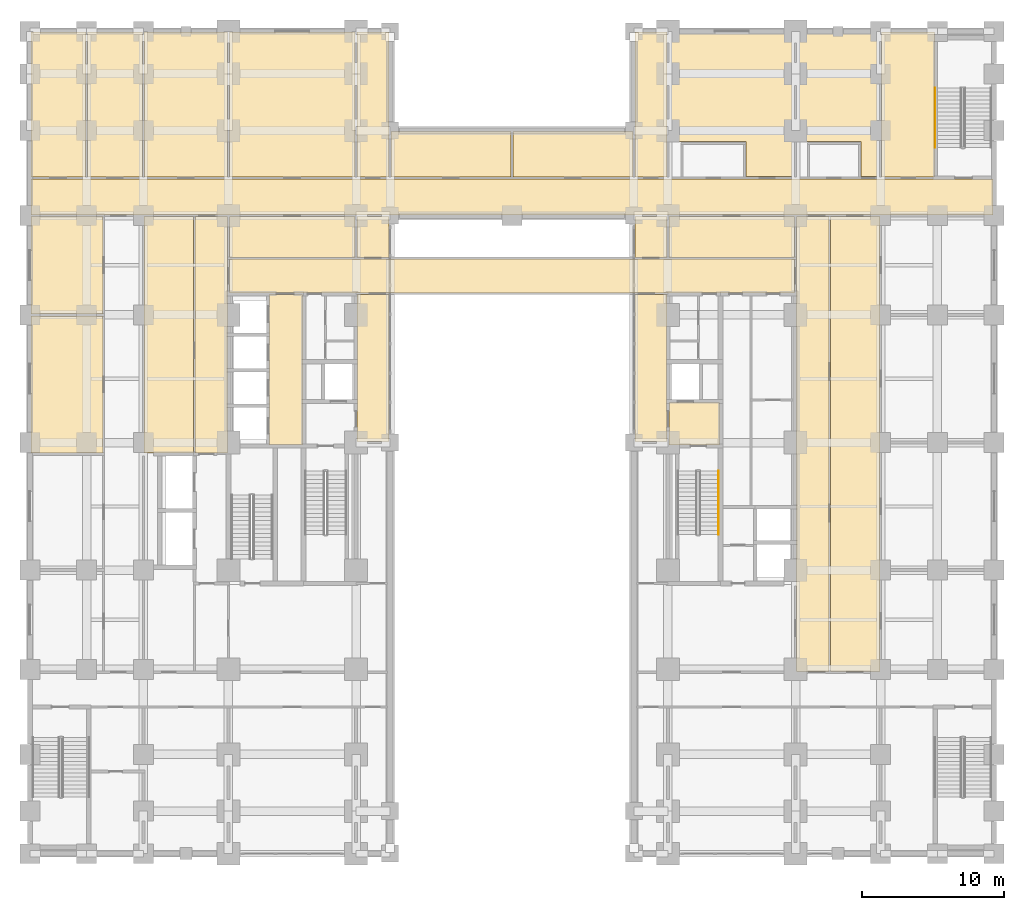
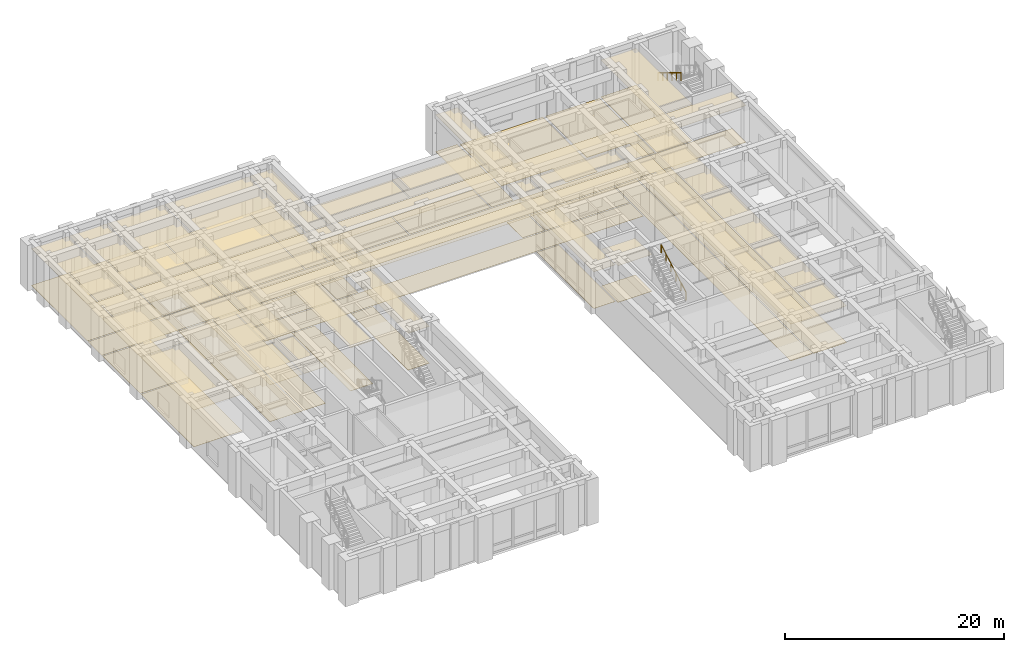
# One storey, part 19 of 21: 52 coverings, 2 railings.
"""IFC4 building model written with IfcOpenShell, lengths in metres."""

from ifc_helpers import new_model, si_unit, direction, frame, origin, origin_2d, place, context, subcontext, project, spatial, polyline, rectangle, outline, extrude, material, layer, layer_set, type_object, element, save


model = new_model("IFC4")

# Units and contexts
model_context = context("Model", 3, precision=1e-05, world=origin(), true_north=direction((0.0, 1.0)))
body_context = subcontext(model_context, "Body", "Model", "MODEL_VIEW")
ifc_project = project(units=[si_unit("LENGTHUNIT", "METRE"), si_unit("AREAUNIT", "SQUARE_METRE"), si_unit("VOLUMEUNIT", "CUBIC_METRE"), si_unit("PLANEANGLEUNIT", "RADIAN"), si_unit("MASSUNIT", "GRAM", prefix="KILO")], contexts=[model_context])

# Site, building, storey
site_placement = place(None, origin())
site = spatial("IfcSite", under=ifc_project, at=site_placement, CompositionType="ELEMENT")
building_placement = place(site_placement, origin())
building = spatial("IfcBuilding", under=site, at=building_placement, Name="Zulmaris Gate Convention Tower", CompositionType="ELEMENT")
storey_placement = place(building_placement, frame((0.0, 0.0, 5.43994140625)))
storey = spatial("IfcBuildingStorey", under=building, at=storey_placement, Name="L01", CompositionType="ELEMENT", Elevation=5.43994140625)

# Coverings
ifc_material_1 = material(Name="Mineral Fibre Acoustic Ceiling Tile")
ifc_layer_1 = layer(ifc_material_1, 0.02001953125, Name="Mineral Fibre Acoustic Ceiling Tile")
ifc_layer_set_1 = layer_set([ifc_layer_1], Name="Mineral Fibre Acoustic Ceiling Tile")
covering_type_1 = type_object("IfcCoveringType", Name="CLG-ACOUSTIC-600", PredefinedType="CEILING", material=ifc_layer_set_1)
covering_1_placement = place(storey_placement, frame((0.0, 0.0, 4.099853515625)))
element("IfcCovering", 1, at=covering_1_placement, inside=storey, type_object=covering_type_1, Name="CLG-L01-R08", PredefinedType="CEILING", context=body_context, shape_type="SweptSolid", body=[
    extrude(outline(polyline([(11.06005859375, -0.18994140625), (14.639892578125, -0.18994140625), (14.639892578125, 2.840087890625), (11.06005859375, 2.840087890625), (11.06005859375, -0.18994140625)])), origin(), (0.0, 0.0, 1.0), 0.02001953125),
])
covering_2_placement = place(storey_placement, frame((0.0, 0.0, 4.81005859375)))
element("IfcCovering", 2, at=covering_2_placement, inside=storey, type_object=covering_type_1, Name="CLG-L01-R19", PredefinedType="CEILING", context=body_context, shape_type="SweptSolid", body=[
    extrude(outline(polyline([(-17.139892578125, -0.18994140625), (-14.760009765625, -0.18994140625), (-14.760009765625, 10.43994140625), (-17.139892578125, 10.43994140625), (-17.139892578125, -0.18994140625)])), origin(), (0.0, 0.0, 1.0), 0.02001953125),
])
covering_3_placement = place(storey_placement, frame((0.0, 0.0, 4.099853515625)))
element("IfcCovering", 3, at=covering_3_placement, inside=storey, type_object=covering_type_1, Name="CLG-L01-R38", PredefinedType="CEILING", context=body_context, shape_type="SweptSolid", body=[
    extrude(outline(polyline([(-10.93994140625, 0.06005859375), (-8.659912109375, 0.06005859375), (-8.659912109375, 10.43994140625), (-10.93994140625, 10.43994140625), (-10.93994140625, 0.06005859375)])), origin(), (0.0, 0.0, 1.0), 0.02001953125),
])
covering_4_placement = place(storey_placement, frame((0.0, 0.0, 4.099853515625)))
element("IfcCovering", 4, at=covering_4_placement, inside=storey, type_object=covering_type_1, Name="CLG-L01-R40", PredefinedType="CEILING", context=body_context, shape_type="SweptSolid", body=[
    extrude(outline(polyline([(8.659912109375, 0.06005859375), (10.93994140625, 0.06005859375), (10.93994140625, 10.43994140625), (8.659912109375, 10.43994140625), (8.659912109375, 0.06005859375)])), origin(), (0.0, 0.0, 1.0), 0.02001953125),
])
covering_5_placement = place(storey_placement, frame((0.0, 0.0, 4.099853515625)))
element("IfcCovering", 5, at=covering_5_placement, inside=storey, type_object=covering_type_1, Name="CLG-L01-R42", PredefinedType="CEILING", context=body_context, shape_type="SweptSolid", body=[
    extrude(outline(polyline([(-10.93994140625, 13.06005859375), (-8.659912109375, 13.06005859375), (-8.659912109375, 15.93994140625), (-10.93994140625, 15.93994140625), (-10.93994140625, 13.06005859375)])), origin(), (0.0, 0.0, 1.0), 0.02001953125),
])
covering_6_placement = place(storey_placement, frame((0.0, 0.0, 4.099853515625)))
element("IfcCovering", 6, at=covering_6_placement, inside=storey, type_object=covering_type_1, Name="CLG-L01-R43", PredefinedType="CEILING", context=body_context, shape_type="SweptSolid", body=[
    extrude(outline(polyline([(8.659912109375, 13.06005859375), (10.93994140625, 13.06005859375), (10.93994140625, 15.93994140625), (8.659912109375, 15.93994140625), (8.659912109375, 13.06005859375)])), origin(), (0.0, 0.0, 1.0), 0.02001953125),
])
covering_7_placement = place(storey_placement, frame((0.0, 0.0, 4.099853515625)))
element("IfcCovering", 7, at=covering_7_placement, inside=storey, type_object=covering_type_1, Name="CLG-L01-R44", PredefinedType="CEILING", context=body_context, shape_type="SweptSolid", body=[
    extrude(outline(polyline([(-19.93994140625, 13.06005859375), (-11.06005859375, 13.06005859375), (-11.06005859375, 15.93994140625), (-19.93994140625, 15.93994140625), (-19.93994140625, 13.06005859375)])), origin(), (0.0, 0.0, 1.0), 0.02001953125),
])
covering_8_placement = place(storey_placement, frame((0.0, 0.0, 4.099853515625)))
element("IfcCovering", 8, at=covering_8_placement, inside=storey, type_object=covering_type_1, Name="CLG-L01-R45", PredefinedType="CEILING", context=body_context, shape_type="SweptSolid", body=[
    extrude(outline(polyline([(11.06005859375, 13.06005859375), (19.93994140625, 13.06005859375), (19.93994140625, 15.93994140625), (11.06005859375, 15.93994140625), (11.06005859375, 13.06005859375)])), origin(), (0.0, 0.0, 1.0), 0.02001953125),
])
covering_9_placement = place(storey_placement, frame((0.0, 0.0, 4.099853515625)))
element("IfcCovering", 9, at=covering_9_placement, inside=storey, type_object=covering_type_1, Name="CLG-L01-R46", PredefinedType="CEILING", context=body_context, shape_type="SweptSolid", body=[
    extrude(outline(polyline([(-33.93994140625, 16.06005859375), (33.93994140625, 16.06005859375), (33.93994140625, 18.590087890625), (-33.93994140625, 18.590087890625), (-33.93994140625, 16.06005859375)])), origin(), (0.0, 0.0, 1.0), 0.02001953125),
])
covering_10_placement = place(storey_placement, frame((0.0, 0.0, 4.099853515625)))
element("IfcCovering", 10, at=covering_10_placement, inside=storey, type_object=covering_type_1, Name="CLG-L01-R47", PredefinedType="CEILING", context=body_context, shape_type="SweptSolid", body=[
    extrude(outline(polyline([(-19.93994140625, 10.56005859375), (19.93994140625, 10.56005859375), (19.93994140625, 12.93994140625), (-19.93994140625, 12.93994140625), (-19.93994140625, 10.56005859375)])), origin(), (0.0, 0.0, 1.0), 0.02001953125),
])
covering_11_placement = place(storey_placement, frame((0.0, 0.0, 4.099853515625)))
element("IfcCovering", 11, at=covering_11_placement, inside=storey, type_object=covering_type_1, Name="CLG-L01-R48", PredefinedType="CEILING", context=body_context, shape_type="SweptSolid", body=[
    extrude(outline(polyline([(-22.340087890625, -0.739990234375), (-20.06005859375, -0.739990234375), (-20.06005859375, 15.93994140625), (-22.340087890625, 15.93994140625), (-22.340087890625, -0.739990234375)])), origin(), (0.0, 0.0, 1.0), 0.02001953125),
])
covering_12_placement = place(storey_placement, frame((0.0, 0.0, 4.099853515625)))
element("IfcCovering", 12, at=covering_12_placement, inside=storey, type_object=covering_type_1, Name="CLG-L01-R49", PredefinedType="CEILING", context=body_context, shape_type="SweptSolid", body=[
    extrude(outline(polyline([(-25.93994140625, -0.739990234375), (-22.4599609375, -0.739990234375), (-22.4599609375, 15.93994140625), (-25.93994140625, 15.93994140625), (-25.93994140625, -0.739990234375)])), origin(), (0.0, 0.0, 1.0), 0.02001953125),
])
covering_13_placement = place(storey_placement, frame((0.0, 0.0, 4.099853515625)))
element("IfcCovering", 13, at=covering_13_placement, inside=storey, type_object=covering_type_1, Name="CLG-L01-R52", PredefinedType="CEILING", context=body_context, shape_type="SweptSolid", body=[
    extrude(outline(polyline([(20.06005859375, -16.139892578125), (22.340087890625, -16.139892578125), (22.340087890625, 15.93994140625), (20.06005859375, 15.93994140625), (20.06005859375, -16.139892578125)])), origin(), (0.0, 0.0, 1.0), 0.02001953125),
])
covering_14_placement = place(storey_placement, frame((0.0, 0.0, 4.099853515625)))
element("IfcCovering", 14, at=covering_14_placement, inside=storey, type_object=covering_type_1, Name="CLG-L01-R57", PredefinedType="CEILING", context=body_context, shape_type="SweptSolid", body=[
    extrude(outline(polyline([(-33.93994140625, 18.7099609375), (-30.06005859375, 18.7099609375), (-30.06005859375, 28.93994140625), (-33.93994140625, 28.93994140625), (-33.93994140625, 18.7099609375)])), origin(), (0.0, 0.0, 1.0), 0.02001953125),
])
covering_15_placement = place(storey_placement, frame((0.0, 0.0, 4.099853515625)))
element("IfcCovering", 15, at=covering_15_placement, inside=storey, type_object=covering_type_1, Name="CLG-L01-R58", PredefinedType="CEILING", context=body_context, shape_type="SweptSolid", body=[
    extrude(outline(polyline([(-29.93994140625, 18.7099609375), (-26.06005859375, 18.7099609375), (-26.06005859375, 28.93994140625), (-29.93994140625, 28.93994140625), (-29.93994140625, 18.7099609375)])), origin(), (0.0, 0.0, 1.0), 0.02001953125),
])
covering_16_placement = place(storey_placement, frame((0.0, 0.0, 4.099853515625)))
element("IfcCovering", 16, at=covering_16_placement, inside=storey, type_object=covering_type_1, Name="CLG-L01-R59", PredefinedType="CEILING", context=body_context, shape_type="SweptSolid", body=[
    extrude(outline(polyline([(-25.93994140625, 18.7099609375), (-20.06005859375, 18.7099609375), (-20.06005859375, 28.93994140625), (-25.93994140625, 28.93994140625), (-25.93994140625, 18.7099609375)])), origin(), (0.0, 0.0, 1.0), 0.02001953125),
])
covering_17_placement = place(storey_placement, frame((0.0, 0.0, 4.099853515625)))
element("IfcCovering", 17, at=covering_17_placement, inside=storey, type_object=covering_type_1, Name="CLG-L01-R60", PredefinedType="CEILING", context=body_context, shape_type="SweptSolid", body=[
    extrude(outline(polyline([(-19.93994140625, 18.7099609375), (-11.06005859375, 18.7099609375), (-11.06005859375, 28.93994140625), (-19.93994140625, 28.93994140625), (-19.93994140625, 18.7099609375)])), origin(), (0.0, 0.0, 1.0), 0.02001953125),
])
covering_18_placement = place(storey_placement, frame((0.0, 0.0, 4.099853515625)))
element("IfcCovering", 18, at=covering_18_placement, inside=storey, type_object=covering_type_1, Name="CLG-L01-R61", PredefinedType="CEILING", context=body_context, shape_type="SweptSolid", body=[
    extrude(outline(polyline([(-10.93994140625, 18.7099609375), (-8.659912109375, 18.7099609375), (-8.659912109375, 28.93994140625), (-10.93994140625, 28.93994140625), (-10.93994140625, 18.7099609375)])), origin(), (0.0, 0.0, 1.0), 0.02001953125),
])
covering_19_placement = place(storey_placement, frame((0.0, 0.0, 4.099853515625)))
element("IfcCovering", 19, at=covering_19_placement, inside=storey, type_object=covering_type_1, Name="CLG-L01-R62", PredefinedType="CEILING", context=body_context, shape_type="SweptSolid", body=[
    extrude(outline(polyline([(-8.5400390625, 18.7099609375), (-0.06005859375, 18.7099609375), (-0.06005859375, 21.93994140625), (-8.5400390625, 21.93994140625), (-8.5400390625, 18.7099609375)])), origin(), (0.0, 0.0, 1.0), 0.02001953125),
])
covering_20_placement = place(storey_placement, frame((0.0, 0.0, 4.099853515625)))
element("IfcCovering", 20, at=covering_20_placement, inside=storey, type_object=covering_type_1, Name="CLG-L01-R63", PredefinedType="CEILING", context=body_context, shape_type="SweptSolid", body=[
    extrude(outline(polyline([(0.06005859375, 18.7099609375), (8.5400390625, 18.7099609375), (8.5400390625, 21.93994140625), (0.06005859375, 21.93994140625), (0.06005859375, 18.7099609375)])), origin(), (0.0, 0.0, 1.0), 0.02001953125),
])
covering_21_placement = place(storey_placement, frame((0.0, 0.0, 4.099853515625)))
element("IfcCovering", 21, at=covering_21_placement, inside=storey, type_object=covering_type_1, Name="CLG-L01-R64", PredefinedType="CEILING", context=body_context, shape_type="SweptSolid", body=[
    extrude(outline(polyline([(8.659912109375, 18.7099609375), (10.93994140625, 18.7099609375), (10.93994140625, 28.93994140625), (8.659912109375, 28.93994140625), (8.659912109375, 18.7099609375)])), origin(), (0.0, 0.0, 1.0), 0.02001953125),
])
covering_22_placement = place(storey_placement, frame((0.0, 0.0, 4.099853515625)))
element("IfcCovering", 22, at=covering_22_placement, inside=storey, type_object=covering_type_1, Name="CLG-L01-R65", PredefinedType="CEILING", context=body_context, shape_type="SweptSolid", body=[
    extrude(outline(polyline([(26.06005859375, 18.7099609375), (29.7900390625, 18.7099609375), (29.7900390625, 28.93994140625), (26.06005859375, 28.93994140625), (26.06005859375, 18.7099609375)])), origin(), (0.0, 0.0, 1.0), 0.02001953125),
])
covering_23_placement = place(storey_placement, frame((0.0, 0.0, 4.099853515625)))
element("IfcCovering", 23, at=covering_23_placement, inside=storey, type_object=covering_type_1, Name="CLG-L01-R73", PredefinedType="CEILING", context=body_context, shape_type="SweptSolid", body=[
    extrude(outline(polyline([(-33.93994140625, -0.739990234375), (-28.860107421875, -0.739990234375), (-28.860107421875, 8.93994140625), (-33.93994140625, 8.93994140625), (-33.93994140625, -0.739990234375)])), origin(), (0.0, 0.0, 1.0), 0.02001953125),
])
covering_24_placement = place(storey_placement, frame((0.0, 0.0, 4.099853515625)))
element("IfcCovering", 24, at=covering_24_placement, inside=storey, type_object=covering_type_1, Name="CLG-L01-R74", PredefinedType="CEILING", context=body_context, shape_type="SweptSolid", body=[
    extrude(outline(polyline([(-33.93994140625, 9.06005859375), (-28.860107421875, 9.06005859375), (-28.860107421875, 15.93994140625), (-33.93994140625, 15.93994140625), (-33.93994140625, 9.06005859375)])), origin(), (0.0, 0.0, 1.0), 0.02001953125),
])
covering_25_placement = place(storey_placement, frame((0.0, 0.0, 4.099853515625)))
element("IfcCovering", 25, at=covering_25_placement, inside=storey, type_object=covering_type_1, Name="CLG-L01-R75", PredefinedType="CEILING", context=body_context, shape_type="SweptSolid", body=[
    extrude(outline(polyline([(22.4599609375, -16.139892578125), (25.93994140625, -16.139892578125), (25.93994140625, 15.93994140625), (22.4599609375, 15.93994140625), (22.4599609375, -16.139892578125)])), origin(), (0.0, 0.0, 1.0), 0.02001953125),
])
ifc_material_2 = material(Name="Woven Acoustic Wool Carpet Tile")
ifc_layer_2 = layer(ifc_material_2, 0.02001953125, Name="Woven Acoustic Wool Carpet Tile")
ifc_layer_set_2 = layer_set([ifc_layer_2], Name="Woven Acoustic Wool Carpet Tile")
covering_type_2 = type_object("IfcCoveringType", Name="FLR-CARPET-12", PredefinedType="FLOORING", material=ifc_layer_set_2)
covering_26_placement = place(storey_placement, origin())
element("IfcCovering", 26, at=covering_26_placement, inside=storey, type_object=covering_type_2, Name="FLR-L01-R08", PredefinedType="FLOORING", context=body_context, shape_type="SweptSolid", body=[
    extrude(outline(polyline([(11.06005859375, -0.18994140625), (14.639892578125, -0.18994140625), (14.639892578125, 2.840087890625), (11.06005859375, 2.840087890625), (11.06005859375, -0.18994140625)])), origin(), (0.0, 0.0, 1.0), 0.02001953125),
])
covering_27_placement = place(storey_placement, origin())
element("IfcCovering", 27, at=covering_27_placement, inside=storey, type_object=covering_type_2, Name="FLR-L01-R19", PredefinedType="FLOORING", context=body_context, shape_type="SweptSolid", body=[
    extrude(outline(polyline([(-17.139892578125, -0.18994140625), (-14.760009765625, -0.18994140625), (-14.760009765625, 10.43994140625), (-17.139892578125, 10.43994140625), (-17.139892578125, -0.18994140625)])), origin(), (0.0, 0.0, 1.0), 0.02001953125),
])
covering_28_placement = place(storey_placement, origin())
element("IfcCovering", 28, at=covering_28_placement, inside=storey, type_object=covering_type_2, Name="FLR-L01-R38", PredefinedType="FLOORING", context=body_context, shape_type="SweptSolid", body=[
    extrude(outline(polyline([(-10.93994140625, 0.06005859375), (-8.659912109375, 0.06005859375), (-8.659912109375, 10.43994140625), (-10.93994140625, 10.43994140625), (-10.93994140625, 0.06005859375)])), origin(), (0.0, 0.0, 1.0), 0.02001953125),
])
covering_29_placement = place(storey_placement, origin())
element("IfcCovering", 29, at=covering_29_placement, inside=storey, type_object=covering_type_2, Name="FLR-L01-R40", PredefinedType="FLOORING", context=body_context, shape_type="SweptSolid", body=[
    extrude(outline(polyline([(8.659912109375, 0.06005859375), (10.93994140625, 0.06005859375), (10.93994140625, 10.43994140625), (8.659912109375, 10.43994140625), (8.659912109375, 0.06005859375)])), origin(), (0.0, 0.0, 1.0), 0.02001953125),
])
covering_30_placement = place(storey_placement, origin())
element("IfcCovering", 30, at=covering_30_placement, inside=storey, type_object=covering_type_2, Name="FLR-L01-R42", PredefinedType="FLOORING", context=body_context, shape_type="SweptSolid", body=[
    extrude(outline(polyline([(-10.93994140625, 13.06005859375), (-8.659912109375, 13.06005859375), (-8.659912109375, 15.93994140625), (-10.93994140625, 15.93994140625), (-10.93994140625, 13.06005859375)])), origin(), (0.0, 0.0, 1.0), 0.02001953125),
])
covering_31_placement = place(storey_placement, origin())
element("IfcCovering", 31, at=covering_31_placement, inside=storey, type_object=covering_type_2, Name="FLR-L01-R43", PredefinedType="FLOORING", context=body_context, shape_type="SweptSolid", body=[
    extrude(outline(polyline([(8.659912109375, 13.06005859375), (10.93994140625, 13.06005859375), (10.93994140625, 15.93994140625), (8.659912109375, 15.93994140625), (8.659912109375, 13.06005859375)])), origin(), (0.0, 0.0, 1.0), 0.02001953125),
])
covering_32_placement = place(storey_placement, origin())
element("IfcCovering", 32, at=covering_32_placement, inside=storey, type_object=covering_type_2, Name="FLR-L01-R46", PredefinedType="FLOORING", context=body_context, shape_type="SweptSolid", body=[
    extrude(outline(polyline([(-33.93994140625, 16.06005859375), (33.93994140625, 16.06005859375), (33.93994140625, 18.590087890625), (-33.93994140625, 18.590087890625), (-33.93994140625, 16.06005859375)])), origin(), (0.0, 0.0, 1.0), 0.02001953125),
])
covering_33_placement = place(storey_placement, origin())
element("IfcCovering", 33, at=covering_33_placement, inside=storey, type_object=covering_type_2, Name="FLR-L01-R47", PredefinedType="FLOORING", context=body_context, shape_type="SweptSolid", body=[
    extrude(outline(polyline([(-19.93994140625, 10.56005859375), (19.93994140625, 10.56005859375), (19.93994140625, 12.93994140625), (-19.93994140625, 12.93994140625), (-19.93994140625, 10.56005859375)])), origin(), (0.0, 0.0, 1.0), 0.02001953125),
])
covering_34_placement = place(storey_placement, origin())
element("IfcCovering", 34, at=covering_34_placement, inside=storey, type_object=covering_type_2, Name="FLR-L01-R48", PredefinedType="FLOORING", context=body_context, shape_type="SweptSolid", body=[
    extrude(outline(polyline([(-22.340087890625, -0.739990234375), (-20.06005859375, -0.739990234375), (-20.06005859375, 15.93994140625), (-22.340087890625, 15.93994140625), (-22.340087890625, -0.739990234375)])), origin(), (0.0, 0.0, 1.0), 0.02001953125),
])
covering_35_placement = place(storey_placement, origin())
element("IfcCovering", 35, at=covering_35_placement, inside=storey, type_object=covering_type_2, Name="FLR-L01-R52", PredefinedType="FLOORING", context=body_context, shape_type="SweptSolid", body=[
    extrude(outline(polyline([(20.06005859375, -16.139892578125), (22.340087890625, -16.139892578125), (22.340087890625, 15.93994140625), (20.06005859375, 15.93994140625), (20.06005859375, -16.139892578125)])), origin(), (0.0, 0.0, 1.0), 0.02001953125),
])
covering_36_placement = place(storey_placement, origin())
element("IfcCovering", 36, at=covering_36_placement, inside=storey, type_object=covering_type_2, Name="FLR-L01-R60", PredefinedType="FLOORING", context=body_context, shape_type="SweptSolid", body=[
    extrude(outline(polyline([(-19.93994140625, 18.7099609375), (-11.06005859375, 18.7099609375), (-11.06005859375, 28.93994140625), (-19.93994140625, 28.93994140625), (-19.93994140625, 18.7099609375)])), origin(), (0.0, 0.0, 1.0), 0.02001953125),
])
covering_37_placement = place(storey_placement, origin())
element("IfcCovering", 37, at=covering_37_placement, inside=storey, type_object=covering_type_2, Name="FLR-L01-R61", PredefinedType="FLOORING", context=body_context, shape_type="SweptSolid", body=[
    extrude(outline(polyline([(-10.93994140625, 18.7099609375), (-8.659912109375, 18.7099609375), (-8.659912109375, 28.93994140625), (-10.93994140625, 28.93994140625), (-10.93994140625, 18.7099609375)])), origin(), (0.0, 0.0, 1.0), 0.02001953125),
])
covering_38_placement = place(storey_placement, origin())
element("IfcCovering", 38, at=covering_38_placement, inside=storey, type_object=covering_type_2, Name="FLR-L01-R64", PredefinedType="FLOORING", context=body_context, shape_type="SweptSolid", body=[
    extrude(outline(polyline([(8.659912109375, 18.7099609375), (10.93994140625, 18.7099609375), (10.93994140625, 28.93994140625), (8.659912109375, 28.93994140625), (8.659912109375, 18.7099609375)])), origin(), (0.0, 0.0, 1.0), 0.02001953125),
])
covering_39_placement = place(storey_placement, origin())
element("IfcCovering", 39, at=covering_39_placement, inside=storey, type_object=covering_type_2, Name="FLR-L01-R65", PredefinedType="FLOORING", context=body_context, shape_type="SweptSolid", body=[
    extrude(outline(polyline([(26.06005859375, 18.7099609375), (29.7900390625, 18.7099609375), (29.7900390625, 28.93994140625), (26.06005859375, 28.93994140625), (26.06005859375, 18.7099609375)])), origin(), (0.0, 0.0, 1.0), 0.02001953125),
])
covering_40_placement = place(storey_placement, origin())
element("IfcCovering", 40, at=covering_40_placement, inside=storey, type_object=covering_type_2, Name="FLR-L01-R69", PredefinedType="FLOORING", context=body_context, shape_type="SweptSolid", body=[
    extrude(outline(polyline([(24.6201171875, 18.77001953125), (25.85009765625, 18.77001953125), (25.85009765625, 28.800048828125), (20.14990234375, 28.800048828125), (20.14990234375, 21.219970703125), (24.6201171875, 21.219970703125), (24.6201171875, 18.77001953125)])), origin(), (0.0, 0.0, 1.0), 0.02001953125),
])
covering_41_placement = place(storey_placement, origin())
element("IfcCovering", 41, at=covering_41_placement, inside=storey, type_object=covering_type_2, Name="FLR-L01-R75", PredefinedType="FLOORING", context=body_context, shape_type="SweptSolid", body=[
    extrude(outline(polyline([(22.4599609375, -16.139892578125), (25.93994140625, -16.139892578125), (25.93994140625, 15.93994140625), (22.4599609375, 15.93994140625), (22.4599609375, -16.139892578125)])), origin(), (0.0, 0.0, 1.0), 0.02001953125),
])
ifc_material_3 = material(Name="Polished Granite Terrazzo Tile", Category="masonry")
ifc_layer_3 = layer(ifc_material_3, 0.02001953125, Name="Polished Granite Terrazzo Tile")
ifc_layer_set_3 = layer_set([ifc_layer_3], Name="Polished Granite Terrazzo Tile")
covering_type_3 = type_object("IfcCoveringType", Name="FLR-TERRAZZO-30", PredefinedType="FLOORING", material=ifc_layer_set_3)
covering_42_placement = place(storey_placement, origin())
element("IfcCovering", 42, at=covering_42_placement, inside=storey, type_object=covering_type_3, Name="FLR-L01-R62", PredefinedType="FLOORING", context=body_context, shape_type="SweptSolid", body=[
    extrude(outline(polyline([(-8.5400390625, 18.7099609375), (-0.06005859375, 18.7099609375), (-0.06005859375, 21.93994140625), (-8.5400390625, 21.93994140625), (-8.5400390625, 18.7099609375)])), origin(), (0.0, 0.0, 1.0), 0.02001953125),
])
covering_43_placement = place(storey_placement, origin())
element("IfcCovering", 43, at=covering_43_placement, inside=storey, type_object=covering_type_3, Name="FLR-L01-R63", PredefinedType="FLOORING", context=body_context, shape_type="SweptSolid", body=[
    extrude(outline(polyline([(0.06005859375, 18.7099609375), (8.5400390625, 18.7099609375), (8.5400390625, 21.93994140625), (0.06005859375, 21.93994140625), (0.06005859375, 18.7099609375)])), origin(), (0.0, 0.0, 1.0), 0.02001953125),
])
ifc_material_4 = material(Name="Engineered Teak Parquet Flooring")
ifc_layer_4 = layer(ifc_material_4, 0.02001953125, Name="Engineered Teak Parquet Flooring")
ifc_layer_set_4 = layer_set([ifc_layer_4], Name="Engineered Teak Parquet Flooring")
covering_type_4 = type_object("IfcCoveringType", Name="FLR-TIMBER-18", PredefinedType="FLOORING", material=ifc_layer_set_4)
covering_44_placement = place(storey_placement, origin())
element("IfcCovering", 44, at=covering_44_placement, inside=storey, type_object=covering_type_4, Name="FLR-L01-R44", PredefinedType="FLOORING", context=body_context, shape_type="SweptSolid", body=[
    extrude(outline(polyline([(-19.93994140625, 13.06005859375), (-11.06005859375, 13.06005859375), (-11.06005859375, 15.93994140625), (-19.93994140625, 15.93994140625), (-19.93994140625, 13.06005859375)])), origin(), (0.0, 0.0, 1.0), 0.02001953125),
])
covering_45_placement = place(storey_placement, origin())
element("IfcCovering", 45, at=covering_45_placement, inside=storey, type_object=covering_type_4, Name="FLR-L01-R45", PredefinedType="FLOORING", context=body_context, shape_type="SweptSolid", body=[
    extrude(outline(polyline([(11.06005859375, 13.06005859375), (19.93994140625, 13.06005859375), (19.93994140625, 15.93994140625), (11.06005859375, 15.93994140625), (11.06005859375, 13.06005859375)])), origin(), (0.0, 0.0, 1.0), 0.02001953125),
])
covering_46_placement = place(storey_placement, origin())
element("IfcCovering", 46, at=covering_46_placement, inside=storey, type_object=covering_type_4, Name="FLR-L01-R49", PredefinedType="FLOORING", context=body_context, shape_type="SweptSolid", body=[
    extrude(outline(polyline([(-25.93994140625, -0.739990234375), (-22.4599609375, -0.739990234375), (-22.4599609375, 15.93994140625), (-25.93994140625, 15.93994140625), (-25.93994140625, -0.739990234375)])), origin(), (0.0, 0.0, 1.0), 0.02001953125),
])
covering_47_placement = place(storey_placement, origin())
element("IfcCovering", 47, at=covering_47_placement, inside=storey, type_object=covering_type_4, Name="FLR-L01-R57", PredefinedType="FLOORING", context=body_context, shape_type="SweptSolid", body=[
    extrude(outline(polyline([(-33.93994140625, 18.7099609375), (-30.06005859375, 18.7099609375), (-30.06005859375, 28.93994140625), (-33.93994140625, 28.93994140625), (-33.93994140625, 18.7099609375)])), origin(), (0.0, 0.0, 1.0), 0.02001953125),
])
covering_48_placement = place(storey_placement, origin())
element("IfcCovering", 48, at=covering_48_placement, inside=storey, type_object=covering_type_4, Name="FLR-L01-R58", PredefinedType="FLOORING", context=body_context, shape_type="SweptSolid", body=[
    extrude(outline(polyline([(-29.93994140625, 18.7099609375), (-26.06005859375, 18.7099609375), (-26.06005859375, 28.93994140625), (-29.93994140625, 28.93994140625), (-29.93994140625, 18.7099609375)])), origin(), (0.0, 0.0, 1.0), 0.02001953125),
])
covering_49_placement = place(storey_placement, origin())
element("IfcCovering", 49, at=covering_49_placement, inside=storey, type_object=covering_type_4, Name="FLR-L01-R59", PredefinedType="FLOORING", context=body_context, shape_type="SweptSolid", body=[
    extrude(outline(polyline([(-25.93994140625, 18.7099609375), (-20.06005859375, 18.7099609375), (-20.06005859375, 28.93994140625), (-25.93994140625, 28.93994140625), (-25.93994140625, 18.7099609375)])), origin(), (0.0, 0.0, 1.0), 0.02001953125),
])
covering_50_placement = place(storey_placement, origin())
element("IfcCovering", 50, at=covering_50_placement, inside=storey, type_object=covering_type_4, Name="FLR-L01-R67", PredefinedType="FLOORING", context=body_context, shape_type="SweptSolid", body=[
    extrude(outline(polyline([(16.52001953125, 18.77001953125), (19.85009765625, 18.77001953125), (19.85009765625, 28.800048828125), (11.14990234375, 28.800048828125), (11.14990234375, 21.219970703125), (16.52001953125, 21.219970703125), (16.52001953125, 18.77001953125)])), origin(), (0.0, 0.0, 1.0), 0.02001953125),
])
covering_51_placement = place(storey_placement, origin())
element("IfcCovering", 51, at=covering_51_placement, inside=storey, type_object=covering_type_4, Name="FLR-L01-R73", PredefinedType="FLOORING", context=body_context, shape_type="SweptSolid", body=[
    extrude(outline(polyline([(-33.93994140625, -0.739990234375), (-28.860107421875, -0.739990234375), (-28.860107421875, 8.93994140625), (-33.93994140625, 8.93994140625), (-33.93994140625, -0.739990234375)])), origin(), (0.0, 0.0, 1.0), 0.02001953125),
])
covering_52_placement = place(storey_placement, origin())
element("IfcCovering", 52, at=covering_52_placement, inside=storey, type_object=covering_type_4, Name="FLR-L01-R74", PredefinedType="FLOORING", context=body_context, shape_type="SweptSolid", body=[
    extrude(outline(polyline([(-33.93994140625, 9.06005859375), (-28.860107421875, 9.06005859375), (-28.860107421875, 15.93994140625), (-33.93994140625, 15.93994140625), (-33.93994140625, 9.06005859375)])), origin(), (0.0, 0.0, 1.0), 0.02001953125),
])

# Railings
ifc_material_5 = material(Name="Brushed Stainless Steel", Category="steel")
railing_type = type_object("IfcRailingType", Name="RL-STH-900", PredefinedType="HANDRAIL", material=ifc_material_5)
railing_1_placement = place(storey_placement, frame((14.570068359375, -6.5, 2.889892578125)))
element("IfcRailing", 53, at=railing_1_placement, inside=storey, type_object=railing_type, Name="L01 ST-2 stair handrail 2", PredefinedType="HANDRAIL", context=body_context, shape_type="SweptSolid", body=[
    extrude(rectangle(XDim=0.048095703125, YDim=0.048095703125, at=origin_2d()), frame((0.0, 0.0, 0.8759765625), z_axis=(0.0, 0.870018136573, 0.493019717692), x_axis=(-1.0, 0.0, 0.0)), (0.0, 0.0, 1.0), 5.17236328125),
    extrude(rectangle(XDim=0.0419921875, YDim=0.0419921875, at=origin_2d()), origin(), (0.0, 0.0, 1.0), 0.851806640625),
    extrude(rectangle(XDim=0.0419921875, YDim=0.0419921875, at=origin_2d()), frame((0.0, 0.89990234375, 0.510009765625)), (0.0, 0.0, 1.0), 0.851806640625),
    extrude(rectangle(XDim=0.0419921875, YDim=0.0419921875, at=origin_2d()), frame((0.0, 1.800048828125, 1.02001953125)), (0.0, 0.0, 1.0), 0.851806640625),
    extrude(rectangle(XDim=0.0419921875, YDim=0.0419921875, at=origin_2d()), frame((0.0, 2.699951171875, 1.530029296875)), (0.0, 0.0, 1.0), 0.851806640625),
    extrude(rectangle(XDim=0.0419921875, YDim=0.0419921875, at=origin_2d()), frame((0.0, 3.60009765625, 2.0400390625)), (0.0, 0.0, 1.0), 0.851806640625),
    extrude(rectangle(XDim=0.0419921875, YDim=0.0419921875, at=origin_2d()), frame((0.0, 4.5, 2.550048828125)), (0.0, 0.0, 1.0), 0.851806640625),
])
railing_2_placement = place(storey_placement, frame((29.830078125, 25.0, 2.889892578125)))
element("IfcRailing", 54, at=railing_2_placement, inside=storey, type_object=railing_type, Name="L01 ST-5 stair handrail 2", PredefinedType="HANDRAIL", context=body_context, shape_type="SweptSolid", body=[
    extrude(rectangle(XDim=0.048095703125, YDim=0.048095703125, at=origin_2d()), frame((0.0, 0.0, 0.8759765625), z_axis=(0.0, -0.854780430106, 0.518989803665), x_axis=(1.0, 0.0, 0.0)), (0.0, 0.0, 1.0), 4.91357421875),
    extrude(rectangle(XDim=0.0419921875, YDim=0.0419921875, at=origin_2d()), origin(), (0.0, 0.0, 1.0), 0.851806640625),
    extrude(rectangle(XDim=0.0419921875, YDim=0.0419921875, at=origin_2d()), frame((0.0, -0.840087890625, 0.510009765625)), (0.0, 0.0, 1.0), 0.851806640625),
    extrude(rectangle(XDim=0.0419921875, YDim=0.0419921875, at=origin_2d()), frame((0.0, -1.679931640625, 1.02001953125)), (0.0, 0.0, 1.0), 0.851806640625),
    extrude(rectangle(XDim=0.0419921875, YDim=0.0419921875, at=origin_2d()), frame((0.0, -2.52001953125, 1.530029296875)), (0.0, 0.0, 1.0), 0.851806640625),
    extrude(rectangle(XDim=0.0419921875, YDim=0.0419921875, at=origin_2d()), frame((0.0, -3.35986328125, 2.0400390625)), (0.0, 0.0, 1.0), 0.851806640625),
    extrude(rectangle(XDim=0.0419921875, YDim=0.0419921875, at=origin_2d()), frame((0.0, -4.199951171875, 2.550048828125)), (0.0, 0.0, 1.0), 0.851806640625),
])

save(model, "model.ifc")
